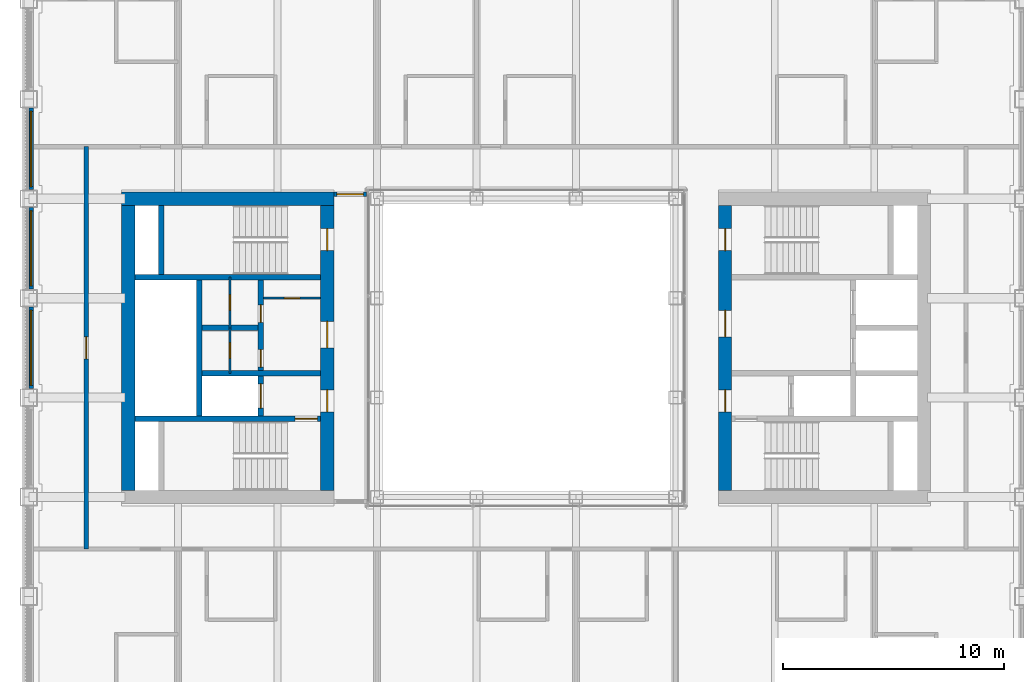
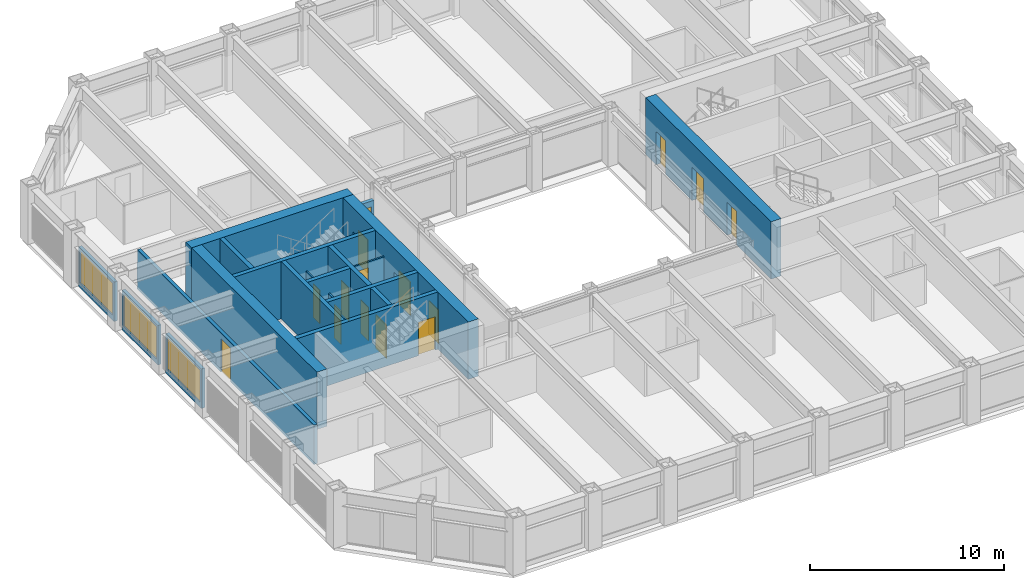
# One storey, part 11 of 17: 19 walls, 15 doors, 3 windows, 18 openings.
"""IFC4 building model written with IfcOpenShell, lengths in metres."""

from ifc_helpers import new_model, si_unit, direction, frame, frame_2d, origin, place, context, subcontext, project, spatial, rectangle, extrude, material, layer, layer_set, type_object, element, fill, save


model = new_model("IFC4")

# Units and contexts
model_context = context("Model", 3, precision=1e-05, world=origin(), true_north=direction((0.0, 1.0)))
body_context = subcontext(model_context, "Body", "Model", "MODEL_VIEW")
ifc_project = project(units=[si_unit("LENGTHUNIT", "METRE"), si_unit("AREAUNIT", "SQUARE_METRE"), si_unit("VOLUMEUNIT", "CUBIC_METRE"), si_unit("PLANEANGLEUNIT", "RADIAN"), si_unit("MASSUNIT", "GRAM", prefix="KILO")], contexts=[model_context])

# Site, building, storey
site_placement = place(None, origin())
site = spatial("IfcSite", under=ifc_project, at=site_placement, CompositionType="ELEMENT")
building_placement = place(site_placement, origin())
building = spatial("IfcBuilding", under=site, at=building_placement, Name="Msasa Ring Tower", CompositionType="ELEMENT")
storey_placement = place(building_placement, frame((0.0, 0.0, 165.199951171875)))
storey = spatial("IfcBuildingStorey", under=building, at=storey_placement, Name="L43", CompositionType="ELEMENT", Elevation=165.199951171875)

# Wall, openings, doors
ifc_material_1 = material(Name="Concrete C60/75", Category="concrete")
ifc_layer_1 = layer(ifc_material_1, 0.60009765625)
ifc_layer_set_1 = layer_set([ifc_layer_1], Name="CW2 CORE WALL 600")
wall_type_1 = type_object("IfcWallType", Name="CW2 CORE WALL 600", PredefinedType="SHEAR", material=ifc_layer_set_1)
wall_1_placement = place(storey_placement, frame((9.0, -6.449951171875, 0.0), z_axis=(0.0, 0.0, 1.0), x_axis=(0.0, 1.0, 0.0)))
wall_1 = element("IfcWall", 1, at=wall_1_placement, inside=storey, type_object=wall_type_1, Name="E core wall W L43", PredefinedType="SHEAR", context=body_context, shape_type="SweptSolid", body=[
    extrude(rectangle(XDim=12.89990234375, YDim=0.60009765625, at=frame_2d((6.449951171875, 0.0))), origin(), (0.0, 0.0, 1.0), 3.60009765625),
])
opening_1_placement = place(wall_1_placement, frame((3.550048828125, 0.0, 0.0)))
opening_1 = element("IfcOpeningElement", 2, at=opening_1_placement, cuts=wall_1, Name="Opening HE-028", PredefinedType="OPENING", context=body_context, shape_type="SweptSolid", body=[
    extrude(rectangle(XDim=1.0, YDim=2.10009765625, at=frame_2d((0.5, 1.050048828125))), frame((0.0, 0.31005859375, 0.0), z_axis=(0.0, -1.0, 0.0), x_axis=(1.0, 0.0, 0.0)), (0.0, 0.0, 1.0), 0.6201171875),
])
opening_2_placement = place(wall_1_placement, frame((6.949951171875, 0.0, 0.0)))
opening_2 = element("IfcOpeningElement", 3, at=opening_2_placement, cuts=wall_1, Name="Opening HE-021", PredefinedType="OPENING", context=body_context, shape_type="SweptSolid", body=[
    extrude(rectangle(XDim=1.199951171875, YDim=2.10009765625, at=frame_2d((0.60009765625, 1.050048828125))), frame((0.0, 0.31005859375, 0.0), z_axis=(0.0, -1.0, 0.0), x_axis=(1.0, 0.0, 0.0)), (0.0, 0.0, 1.0), 0.6201171875),
])
opening_3_placement = place(wall_1_placement, frame((10.85009765625, 0.0, 0.0)))
opening_3 = element("IfcOpeningElement", 4, at=opening_3_placement, cuts=wall_1, Name="Opening HE-017", PredefinedType="OPENING", context=body_context, shape_type="SweptSolid", body=[
    extrude(rectangle(XDim=1.0, YDim=2.10009765625, at=frame_2d((0.5, 1.050048828125))), frame((0.0, 0.31005859375, 0.0), z_axis=(0.0, -1.0, 0.0), x_axis=(1.0, 0.0, 0.0)), (0.0, 0.0, 1.0), 0.6201171875),
])
ifc_material_2 = material(Name="Timber door leaf in a steel frame", Category="steel")
door_type_1 = type_object("IfcDoorType", Name="D4 LOBBY DOOR 1000x2100", OperationType="SINGLE_SWING_LEFT", PredefinedType="DOOR", material=ifc_material_2)
door_1_placement = place(opening_1_placement, origin())
door_1 = element("IfcDoor", 5, at=door_1_placement, inside=storey, type_object=door_type_1, Name="Door L43-EFFL", OperationType="SINGLE_SWING_LEFT", OverallHeight=2.10009765625, OverallWidth=1.0, PredefinedType="DOOR", context=body_context, shape_type="SweptSolid", body=[
    extrude(rectangle(XDim=1.0, YDim=2.10009765625, at=frame_2d((0.5, 1.050048828125))), frame((0.0, 0.02490234375, 0.0), z_axis=(0.0, -1.0, 0.0), x_axis=(1.0, 0.0, 0.0)), (0.0, 0.0, 1.0), 0.050048828125),
])
fill(opening_1, door_1)
ifc_material_3 = material(Name="Timber door leaf in a steel frame", Category="steel")
door_type_2 = type_object("IfcDoorType", Name="D5 WIDE LOBBY DOOR 1200x2100", OperationType="SINGLE_SWING_LEFT", PredefinedType="DOOR", material=ifc_material_3)
door_2_placement = place(opening_2_placement, origin())
door_2 = element("IfcDoor", 6, at=door_2_placement, inside=storey, type_object=door_type_2, Name="Door L43-ELL", OperationType="SINGLE_SWING_RIGHT", OverallHeight=2.10009765625, OverallWidth=1.199951171875, PredefinedType="DOOR", context=body_context, shape_type="SweptSolid", body=[
    extrude(rectangle(XDim=1.199951171875, YDim=2.10009765625, at=frame_2d((0.60009765625, 1.050048828125))), frame((0.0, 0.02490234375, 0.0), z_axis=(0.0, -1.0, 0.0), x_axis=(1.0, 0.0, 0.0)), (0.0, 0.0, 1.0), 0.050048828125),
])
fill(opening_2, door_2)
ifc_material_4 = material(Name="Timber door leaf in a steel frame", Category="steel")
door_type_3 = type_object("IfcDoorType", Name="D6 STAIR DOOR 1000x2100", OperationType="SINGLE_SWING_LEFT", PredefinedType="DOOR", material=ifc_material_4)
door_3_placement = place(opening_3_placement, origin())
door_3 = element("IfcDoor", 7, at=door_3_placement, inside=storey, type_object=door_type_3, Name="Door L43-ESTB", OperationType="SINGLE_SWING_RIGHT", OverallHeight=2.10009765625, OverallWidth=1.0, PredefinedType="DOOR", context=body_context, shape_type="SweptSolid", body=[
    extrude(rectangle(XDim=1.0, YDim=2.10009765625, at=frame_2d((0.5, 1.050048828125))), frame((0.0, 0.02490234375, 0.0), z_axis=(0.0, -1.0, 0.0), x_axis=(1.0, 0.0, 0.0)), (0.0, 0.0, 1.0), 0.050048828125),
])
fill(opening_3, door_3)

# Wall
wall_2_placement = place(storey_placement, frame((-8.699951171875, 6.75, 0.0), z_axis=(0.0, 0.0, 1.0), x_axis=(-1.0, 0.0, 0.0)))
element("IfcWall", 8, at=wall_2_placement, inside=storey, type_object=wall_type_1, Name="W core wall N L43", PredefinedType="SHEAR", context=body_context, shape_type="SweptSolid", body=[
    extrude(rectangle(XDim=9.60009765625, YDim=0.60009765625, at=frame_2d((4.800048828125, 0.0))), origin(), (0.0, 0.0, 1.0), 3.60009765625),
])

# Wall, openings, doors
wall_3_placement = place(storey_placement, frame((-9.0, -6.449951171875, 0.0), z_axis=(0.0, 0.0, 1.0), x_axis=(0.0, 1.0, 0.0)))
wall_3 = element("IfcWall", 9, at=wall_3_placement, inside=storey, type_object=wall_type_1, Name="W core wall W L43", PredefinedType="SHEAR", context=body_context, shape_type="SweptSolid", body=[
    extrude(rectangle(XDim=12.89990234375, YDim=0.60009765625, at=frame_2d((6.449951171875, 0.0))), origin(), (0.0, 0.0, 1.0), 3.60009765625),
])
opening_4_placement = place(wall_3_placement, frame((3.550048828125, 0.0, 0.0)))
opening_4 = element("IfcOpeningElement", 10, at=opening_4_placement, cuts=wall_3, Name="Opening HE-027", PredefinedType="OPENING", context=body_context, shape_type="SweptSolid", body=[
    extrude(rectangle(XDim=1.0, YDim=2.10009765625, at=frame_2d((0.5, 1.050048828125))), frame((0.0, 0.31005859375, 0.0), z_axis=(0.0, -1.0, 0.0), x_axis=(1.0, 0.0, 0.0)), (0.0, 0.0, 1.0), 0.6201171875),
])
opening_5_placement = place(wall_3_placement, frame((6.449951171875, 0.0, 0.0)))
opening_5 = element("IfcOpeningElement", 11, at=opening_5_placement, cuts=wall_3, Name="Opening HE-022", PredefinedType="OPENING", context=body_context, shape_type="SweptSolid", body=[
    extrude(rectangle(XDim=1.199951171875, YDim=2.10009765625, at=frame_2d((0.60009765625, 1.050048828125))), frame((0.0, 0.31005859375, 0.0), z_axis=(0.0, -1.0, 0.0), x_axis=(1.0, 0.0, 0.0)), (0.0, 0.0, 1.0), 0.6201171875),
])
opening_6_placement = place(wall_3_placement, frame((10.85009765625, 0.0, 0.0)))
opening_6 = element("IfcOpeningElement", 12, at=opening_6_placement, cuts=wall_3, Name="Opening HE-016", PredefinedType="OPENING", context=body_context, shape_type="SweptSolid", body=[
    extrude(rectangle(XDim=1.0, YDim=2.10009765625, at=frame_2d((0.5, 1.050048828125))), frame((0.0, 0.31005859375, 0.0), z_axis=(0.0, -1.0, 0.0), x_axis=(1.0, 0.0, 0.0)), (0.0, 0.0, 1.0), 0.6201171875),
])
door_4_placement = place(opening_4_placement, origin())
door_4 = element("IfcDoor", 13, at=door_4_placement, inside=storey, type_object=door_type_1, Name="Door L43-WFFL", OperationType="SINGLE_SWING_LEFT", OverallHeight=2.10009765625, OverallWidth=1.0, PredefinedType="DOOR", context=body_context, shape_type="SweptSolid", body=[
    extrude(rectangle(XDim=1.0, YDim=2.10009765625, at=frame_2d((0.5, 1.050048828125))), frame((0.0, 0.02490234375, 0.0), z_axis=(0.0, -1.0, 0.0), x_axis=(1.0, 0.0, 0.0)), (0.0, 0.0, 1.0), 0.050048828125),
])
fill(opening_4, door_4)
door_5_placement = place(opening_5_placement, origin())
door_5 = element("IfcDoor", 14, at=door_5_placement, inside=storey, type_object=door_type_2, Name="Door L43-WLL", OperationType="SINGLE_SWING_RIGHT", OverallHeight=2.10009765625, OverallWidth=1.199951171875, PredefinedType="DOOR", context=body_context, shape_type="SweptSolid", body=[
    extrude(rectangle(XDim=1.199951171875, YDim=2.10009765625, at=frame_2d((0.60009765625, 1.050048828125))), frame((0.0, 0.02490234375, 0.0), z_axis=(0.0, -1.0, 0.0), x_axis=(1.0, 0.0, 0.0)), (0.0, 0.0, 1.0), 0.050048828125),
])
fill(opening_5, door_5)
door_6_placement = place(opening_6_placement, origin())
door_6 = element("IfcDoor", 15, at=door_6_placement, inside=storey, type_object=door_type_3, Name="Door L43-WSTB", OperationType="SINGLE_SWING_RIGHT", OverallHeight=2.10009765625, OverallWidth=1.0, PredefinedType="DOOR", context=body_context, shape_type="SweptSolid", body=[
    extrude(rectangle(XDim=1.0, YDim=2.10009765625, at=frame_2d((0.5, 1.050048828125))), frame((0.0, 0.02490234375, 0.0), z_axis=(0.0, -1.0, 0.0), x_axis=(1.0, 0.0, 0.0)), (0.0, 0.0, 1.0), 0.050048828125),
])
fill(opening_6, door_6)

# Wall
wall_4_placement = place(storey_placement, frame((-18.0, -6.449951171875, 0.0), z_axis=(0.0, 0.0, 1.0), x_axis=(0.0, 1.0, 0.0)))
element("IfcWall", 16, at=wall_4_placement, inside=storey, type_object=wall_type_1, Name="W core wall E L43", PredefinedType="SHEAR", context=body_context, shape_type="SweptSolid", body=[
    extrude(rectangle(XDim=12.89990234375, YDim=0.60009765625, at=frame_2d((6.449951171875, 0.0))), origin(), (0.0, 0.0, 1.0), 3.60009765625),
])

# Wall, opening, door
ifc_material_5 = material(Name="Concrete C60/75", Category="concrete")
ifc_layer_2 = layer(ifc_material_5, 0.25)
ifc_layer_set_2 = layer_set([ifc_layer_2], Name="CW4 CORE INNER WALL 250")
wall_type_2 = type_object("IfcWallType", Name="CW4 CORE INNER WALL 250", PredefinedType="SHEAR", material=ifc_layer_set_2)
wall_5_placement = place(storey_placement, frame((-9.300048828125, -3.199951171875, 0.0), z_axis=(0.0, 0.0, 1.0), x_axis=(-1.0, 0.0, 0.0)))
wall_5 = element("IfcWall", 17, at=wall_5_placement, inside=storey, type_object=wall_type_2, Name="W core wall STAIRA L43", PredefinedType="SHEAR", context=body_context, shape_type="SweptSolid", body=[
    extrude(rectangle(XDim=8.39990234375, YDim=0.25, at=frame_2d((4.199951171875, 0.0))), origin(), (0.0, 0.0, 1.0), 3.60009765625),
])
opening_7_placement = place(wall_5_placement, frame((0.14990234375, 0.0, 0.0)))
opening_7 = element("IfcOpeningElement", 18, at=opening_7_placement, cuts=wall_5, Name="Opening HE-029", PredefinedType="OPENING", context=body_context, shape_type="SweptSolid", body=[
    extrude(rectangle(XDim=1.0, YDim=2.10009765625, at=frame_2d((0.5, 1.050048828125))), frame((0.0, 0.135009765625, 0.0), z_axis=(0.0, -1.0, 0.0), x_axis=(1.0, 0.0, 0.0)), (0.0, 0.0, 1.0), 0.27001953125),
])
door_7_placement = place(opening_7_placement, origin())
door_7 = element("IfcDoor", 19, at=door_7_placement, inside=storey, type_object=door_type_3, Name="Door L43-WSTA", OperationType="SINGLE_SWING_LEFT", OverallHeight=2.10009765625, OverallWidth=1.0, PredefinedType="DOOR", context=body_context, shape_type="SweptSolid", body=[
    extrude(rectangle(XDim=1.0, YDim=2.10009765625, at=frame_2d((0.5, 1.050048828125))), frame((0.0, 0.02490234375, 0.0), z_axis=(0.0, -1.0, 0.0), x_axis=(1.0, 0.0, 0.0)), (0.0, 0.0, 1.0), 0.050048828125),
])
fill(opening_7, door_7)

# Walls
wall_6_placement = place(storey_placement, frame((-9.300048828125, 3.199951171875, 0.0), z_axis=(0.0, 0.0, 1.0), x_axis=(-1.0, 0.0, 0.0)))
element("IfcWall", 20, at=wall_6_placement, inside=storey, type_object=wall_type_2, Name="W core wall STAIRB L43", PredefinedType="SHEAR", context=body_context, shape_type="SweptSolid", body=[
    extrude(rectangle(XDim=8.39990234375, YDim=0.25, at=frame_2d((4.199951171875, 0.0))), origin(), (0.0, 0.0, 1.0), 3.60009765625),
])
wall_7_placement = place(storey_placement, frame((-16.5, 3.324951171875, 0.0), z_axis=(0.0, 0.0, 1.0), x_axis=(0.0, 1.0, 0.0)))
element("IfcWall", 21, at=wall_7_placement, inside=storey, type_object=wall_type_2, Name="W core wall RISERB L43", PredefinedType="SHEAR", context=body_context, shape_type="SweptSolid", body=[
    extrude(rectangle(XDim=3.125, YDim=0.25, at=frame_2d((1.5625, 0.0))), origin(), (0.0, 0.0, 1.0), 3.60009765625),
])
wall_8_placement = place(storey_placement, frame((-9.300048828125, -1.14990234375, 0.0), z_axis=(0.0, 0.0, 1.0), x_axis=(-1.0, 0.0, 0.0)))
element("IfcWall", 22, at=wall_8_placement, inside=storey, type_object=wall_type_2, Name="W core wall FFL L43", PredefinedType="SHEAR", context=body_context, shape_type="SweptSolid", body=[
    extrude(rectangle(XDim=5.375, YDim=0.25, at=frame_2d((2.6875, 0.0))), origin(), (0.0, 0.0, 1.0), 3.60009765625),
])

# Wall, openings, doors
wall_9_placement = place(storey_placement, frame((-12.0, -3.074951171875, 0.0), z_axis=(0.0, 0.0, 1.0), x_axis=(0.0, 1.0, 0.0)))
wall_9 = element("IfcWall", 23, at=wall_9_placement, inside=storey, type_object=wall_type_2, Name="W core wall LOBBY L43", PredefinedType="SHEAR", context=body_context, shape_type="SweptSolid", body=[
    extrude(rectangle(XDim=6.14990234375, YDim=0.25, at=frame_2d((3.074951171875, 0.0))), origin(), (0.0, 0.0, 1.0), 3.60009765625),
])
opening_8_placement = place(wall_9_placement, frame((2.199951171875, 0.0, 0.0)))
opening_8 = element("IfcOpeningElement", 24, at=opening_8_placement, cuts=wall_9, Name="Opening HE-026", PredefinedType="OPENING", context=body_context, shape_type="SweptSolid", body=[
    extrude(rectangle(XDim=0.800048828125, YDim=2.10009765625, at=frame_2d((0.39990234375, 1.050048828125))), frame((0.0, 0.135009765625, 0.0), z_axis=(0.0, -1.0, 0.0), x_axis=(1.0, 0.0, 0.0)), (0.0, 0.0, 1.0), 0.27001953125),
])
opening_9_placement = place(wall_9_placement, frame((4.22509765625, 0.0, 0.0)))
opening_9 = element("IfcOpeningElement", 25, at=opening_9_placement, cuts=wall_9, Name="Opening HE-020", PredefinedType="OPENING", context=body_context, shape_type="SweptSolid", body=[
    extrude(rectangle(XDim=0.800048828125, YDim=2.10009765625, at=frame_2d((0.39990234375, 1.050048828125))), frame((0.0, 0.135009765625, 0.0), z_axis=(0.0, -1.0, 0.0), x_axis=(1.0, 0.0, 0.0)), (0.0, 0.0, 1.0), 0.27001953125),
])
opening_10_placement = place(wall_9_placement, frame((0.35009765625, 0.0, 0.0)))
opening_10 = element("IfcOpeningElement", 26, at=opening_10_placement, cuts=wall_9, Name="Opening LD1", PredefinedType="OPENING", context=body_context, shape_type="SweptSolid", body=[
    extrude(rectangle(XDim=1.10009765625, YDim=2.10009765625, at=frame_2d((0.550048828125, 1.050048828125))), frame((0.0, 0.135009765625, 0.0), z_axis=(0.0, -1.0, 0.0), x_axis=(1.0, 0.0, 0.0)), (0.0, 0.0, 1.0), 0.27001953125),
])
ifc_material_6 = material(Name="Timber door leaf in a steel frame", Category="steel")
door_type_4 = type_object("IfcDoorType", Name="D9 NARROW SERVICE DOOR 800x2100", OperationType="SINGLE_SWING_LEFT", PredefinedType="DOOR", material=ifc_material_6)
door_8_placement = place(opening_8_placement, origin())
door_8 = element("IfcDoor", 27, at=door_8_placement, inside=storey, type_object=door_type_4, Name="Door L43-WR1", OperationType="SINGLE_SWING_LEFT", OverallHeight=2.10009765625, OverallWidth=0.800048828125, PredefinedType="DOOR", context=body_context, shape_type="SweptSolid", body=[
    extrude(rectangle(XDim=0.800048828125, YDim=2.10009765625, at=frame_2d((0.39990234375, 1.050048828125))), frame((0.0, 0.02490234375, 0.0), z_axis=(0.0, -1.0, 0.0), x_axis=(1.0, 0.0, 0.0)), (0.0, 0.0, 1.0), 0.050048828125),
])
fill(opening_8, door_8)
door_9_placement = place(opening_9_placement, origin())
door_9 = element("IfcDoor", 28, at=door_9_placement, inside=storey, type_object=door_type_4, Name="Door L43-WR2", OperationType="SINGLE_SWING_RIGHT", OverallHeight=2.10009765625, OverallWidth=0.800048828125, PredefinedType="DOOR", context=body_context, shape_type="SweptSolid", body=[
    extrude(rectangle(XDim=0.800048828125, YDim=2.10009765625, at=frame_2d((0.39990234375, 1.050048828125))), frame((0.0, 0.02490234375, 0.0), z_axis=(0.0, -1.0, 0.0), x_axis=(1.0, 0.0, 0.0)), (0.0, 0.0, 1.0), 0.050048828125),
])
fill(opening_9, door_9)
ifc_material_7 = material(Name="Stainless steel lift landing door", Category="steel")
door_type_5 = type_object("IfcDoorType", Name="LD1 LIFT LANDING DOOR 1100x2100", OperationType="DOUBLE_DOOR_SLIDING", PredefinedType="DOOR", material=ifc_material_7)
door_10_placement = place(opening_10_placement, origin())
door_10 = element("IfcDoor", 29, at=door_10_placement, inside=storey, type_object=door_type_5, Name="Lift landing door FL-W L43", OperationType="DOUBLE_DOOR_SLIDING", OverallHeight=2.10009765625, OverallWidth=1.10009765625, PredefinedType="DOOR", context=body_context, shape_type="SweptSolid", body=[
    extrude(rectangle(XDim=1.10009765625, YDim=2.10009765625, at=frame_2d((0.550048828125, 1.050048828125))), frame((0.0, 0.02490234375, 0.0), z_axis=(0.0, -1.0, 0.0), x_axis=(1.0, 0.0, 0.0)), (0.0, 0.0, 1.0), 0.050048828125),
])
fill(opening_10, door_10)

# Walls
wall_10_placement = place(storey_placement, frame((-14.800048828125, -3.074951171875, 0.0), z_axis=(0.0, 0.0, 1.0), x_axis=(0.0, 1.0, 0.0)))
element("IfcWall", 30, at=wall_10_placement, inside=storey, type_object=wall_type_2, Name="W core wall SHAFT L43", PredefinedType="SHEAR", context=body_context, shape_type="SweptSolid", body=[
    extrude(rectangle(XDim=6.14990234375, YDim=0.25, at=frame_2d((3.074951171875, 0.0))), origin(), (0.0, 0.0, 1.0), 3.60009765625),
])
wall_11_placement = place(storey_placement, frame((-12.125, 0.89990234375, 0.0), z_axis=(0.0, 0.0, 1.0), x_axis=(-1.0, 0.0, 0.0)))
element("IfcWall", 31, at=wall_11_placement, inside=storey, type_object=wall_type_2, Name="W core wall LIFT1 L43", PredefinedType="SHEAR", context=body_context, shape_type="SweptSolid", body=[
    extrude(rectangle(XDim=2.550048828125, YDim=0.25, at=frame_2d((1.27490234375, 0.0))), origin(), (0.0, 0.0, 1.0), 3.60009765625),
])

# Wall, opening, window
ifc_material_8 = material(Name="Terracotta rainscreen on blockwork", Category="masonry")
ifc_layer_3 = layer(ifc_material_8, 0.199951171875)
ifc_layer_set_3 = layer_set([ifc_layer_3], Name="FW1 TERRACOTTA-LINED INFILL BAY WALL 200")
wall_type_3 = type_object("IfcWallType", Name="FW1 TERRACOTTA-LINED INFILL BAY WALL 200", PredefinedType="SOLIDWALL", material=ifc_layer_set_3)
wall_12_placement = place(storey_placement, frame((-22.39990234375, -1.844970703125, 0.0), z_axis=(0.0, 0.0, 1.0), x_axis=(0.0, 1.0, 0.0)))
wall_12 = element("IfcWall", 32, at=wall_12_placement, inside=storey, type_object=wall_type_3, Name="Infill bay wall W L43 30", PredefinedType="SOLIDWALL", context=body_context, shape_type="SweptSolid", body=[
    extrude(rectangle(XDim=3.68994140625, YDim=0.199951171875, at=frame_2d((1.844970703125, 0.0))), origin(), (0.0, 0.0, 1.0), 2.47900390625),
])
opening_11_placement = place(wall_12_placement, frame((0.14501953125, 0.0, 0.300048828125)))
opening_11 = element("IfcOpeningElement", 33, at=opening_11_placement, cuts=wall_12, Name="Opening WN2", PredefinedType="OPENING", context=body_context, shape_type="SweptSolid", body=[
    extrude(rectangle(XDim=3.39990234375, YDim=2.029052734375, at=frame_2d((1.699951171875, 1.0146484375))), frame((0.0, 0.10986328125, 0.0), z_axis=(0.0, -1.0, 0.0), x_axis=(1.0, 0.0, 0.0)), (0.0, 0.0, 1.0), 0.219970703125),
])
ifc_material_9 = material(Name="Aluminium frame with clear glass", Category="aluminium")
window_type = type_object("IfcWindowType", Name="WN2 GUEST ROOM WINDOW 3400x2029", PartitioningType="SINGLE_PANEL", PredefinedType="WINDOW", material=ifc_material_9)
window_1_placement = place(opening_11_placement, origin())
window_1 = element("IfcWindow", 34, at=window_1_placement, inside=storey, type_object=window_type, Name="Window W L43 30", OverallHeight=2.029052734375, OverallWidth=3.39990234375, PartitioningType="SINGLE_PANEL", PredefinedType="WINDOW", context=body_context, shape_type="SweptSolid", body=[
    extrude(rectangle(XDim=3.39990234375, YDim=2.029052734375, at=frame_2d((1.699951171875, 1.0146484375))), frame((0.0, 0.030029296875, 0.0), z_axis=(0.0, -1.0, 0.0), x_axis=(1.0, 0.0, 0.0)), (0.0, 0.0, 1.0), 0.06005859375),
])
fill(opening_11, window_1)

wall_13_placement = place(storey_placement, frame((-22.39990234375, 2.655029296875, 0.0), z_axis=(0.0, 0.0, 1.0), x_axis=(0.0, 1.0, 0.0)))
wall_13 = element("IfcWall", 35, at=wall_13_placement, inside=storey, type_object=wall_type_3, Name="Infill bay wall W L43 31", PredefinedType="SOLIDWALL", context=body_context, shape_type="SweptSolid", body=[
    extrude(rectangle(XDim=3.68994140625, YDim=0.199951171875, at=frame_2d((1.844970703125, 0.0))), origin(), (0.0, 0.0, 1.0), 2.47900390625),
])
opening_12_placement = place(wall_13_placement, frame((0.14501953125, 0.0, 0.300048828125)))
opening_12 = element("IfcOpeningElement", 36, at=opening_12_placement, cuts=wall_13, Name="Opening WN2", PredefinedType="OPENING", context=body_context, shape_type="SweptSolid", body=[
    extrude(rectangle(XDim=3.39990234375, YDim=2.029052734375, at=frame_2d((1.699951171875, 1.0146484375))), frame((0.0, 0.10986328125, 0.0), z_axis=(0.0, -1.0, 0.0), x_axis=(1.0, 0.0, 0.0)), (0.0, 0.0, 1.0), 0.219970703125),
])
window_2_placement = place(opening_12_placement, origin())
window_2 = element("IfcWindow", 37, at=window_2_placement, inside=storey, type_object=window_type, Name="Window W L43 31", OverallHeight=2.029052734375, OverallWidth=3.39990234375, PartitioningType="SINGLE_PANEL", PredefinedType="WINDOW", context=body_context, shape_type="SweptSolid", body=[
    extrude(rectangle(XDim=3.39990234375, YDim=2.029052734375, at=frame_2d((1.699951171875, 1.0146484375))), frame((0.0, 0.030029296875, 0.0), z_axis=(0.0, -1.0, 0.0), x_axis=(1.0, 0.0, 0.0)), (0.0, 0.0, 1.0), 0.06005859375),
])
fill(opening_12, window_2)

wall_14_placement = place(storey_placement, frame((-22.39990234375, 7.155029296875, 0.0), z_axis=(0.0, 0.0, 1.0), x_axis=(0.0, 1.0, 0.0)))
wall_14 = element("IfcWall", 38, at=wall_14_placement, inside=storey, type_object=wall_type_3, Name="Infill bay wall W L43 32", PredefinedType="SOLIDWALL", context=body_context, shape_type="SweptSolid", body=[
    extrude(rectangle(XDim=3.68994140625, YDim=0.199951171875, at=frame_2d((1.844970703125, 0.0))), origin(), (0.0, 0.0, 1.0), 2.47900390625),
])
opening_13_placement = place(wall_14_placement, frame((0.14501953125, 0.0, 0.300048828125)))
opening_13 = element("IfcOpeningElement", 39, at=opening_13_placement, cuts=wall_14, Name="Opening WN2", PredefinedType="OPENING", context=body_context, shape_type="SweptSolid", body=[
    extrude(rectangle(XDim=3.39990234375, YDim=2.029052734375, at=frame_2d((1.699951171875, 1.0146484375))), frame((0.0, 0.10986328125, 0.0), z_axis=(0.0, -1.0, 0.0), x_axis=(1.0, 0.0, 0.0)), (0.0, 0.0, 1.0), 0.219970703125),
])
window_3_placement = place(opening_13_placement, origin())
window_3 = element("IfcWindow", 40, at=window_3_placement, inside=storey, type_object=window_type, Name="Window W L43 32", OverallHeight=2.029052734375, OverallWidth=3.39990234375, PartitioningType="SINGLE_PANEL", PredefinedType="WINDOW", context=body_context, shape_type="SweptSolid", body=[
    extrude(rectangle(XDim=3.39990234375, YDim=2.029052734375, at=frame_2d((1.699951171875, 1.0146484375))), frame((0.0, 0.030029296875, 0.0), z_axis=(0.0, -1.0, 0.0), x_axis=(1.0, 0.0, 0.0)), (0.0, 0.0, 1.0), 0.06005859375),
])
fill(opening_13, window_3)

# Wall, opening, door
ifc_material_10 = material(Name="Concrete blockwork", Category="masonry")
ifc_layer_4 = layer(ifc_material_10, 0.199951171875)
ifc_layer_set_4 = layer_set([ifc_layer_4], Name="PT1 CORRIDOR WALL 200")
wall_type_4 = type_object("IfcWallType", Name="PT1 CORRIDOR WALL 200", PredefinedType="PARTITIONING", material=ifc_layer_set_4)
wall_15_placement = place(storey_placement, frame((-8.699951171875, 6.949951171875, 0.0), z_axis=(0.0, 0.0, 1.0), x_axis=(1.0, 0.0, 0.0)))
wall_15 = element("IfcWall", 41, at=wall_15_placement, inside=storey, type_object=wall_type_4, Name="Corridor wall L43-SDWN", PredefinedType="PARTITIONING", context=body_context, shape_type="SweptSolid", body=[
    extrude(rectangle(XDim=1.469970703125, YDim=0.199951171875, at=frame_2d((0.73486328125, 0.0))), origin(), (0.0, 0.0, 1.0), 2.473388671875),
])
opening_14_placement = place(wall_15_placement, frame((0.135009765625, 0.0, 0.0)))
opening_14 = element("IfcOpeningElement", 42, at=opening_14_placement, cuts=wall_15, Name="Opening HE-015", PredefinedType="OPENING", context=body_context, shape_type="SweptSolid", body=[
    extrude(rectangle(XDim=1.199951171875, YDim=2.10009765625, at=frame_2d((0.60009765625, 1.050048828125))), frame((0.0, 0.10986328125, 0.0), z_axis=(0.0, -1.0, 0.0), x_axis=(1.0, 0.0, 0.0)), (0.0, 0.0, 1.0), 0.219970703125),
])
ifc_material_11 = material(Name="Timber door leaf in a steel frame", Category="steel")
door_type_6 = type_object("IfcDoorType", Name="D25 CORRIDOR PAIR OF SMOKE DOORS 1200x2100", OperationType="DOUBLE_DOOR_DOUBLE_SWING", PredefinedType="DOOR", material=ifc_material_11)
door_11_placement = place(opening_14_placement, origin())
door_11 = element("IfcDoor", 43, at=door_11_placement, inside=storey, type_object=door_type_6, Name="Door L43-SDWN", OperationType="DOUBLE_DOOR_DOUBLE_SWING", OverallHeight=2.10009765625, OverallWidth=1.199951171875, PredefinedType="DOOR", context=body_context, shape_type="SweptSolid", body=[
    extrude(rectangle(XDim=1.199951171875, YDim=2.10009765625, at=frame_2d((0.60009765625, 1.050048828125))), frame((0.0, 0.02490234375, 0.0), z_axis=(0.0, -1.0, 0.0), x_axis=(1.0, 0.0, 0.0)), (0.0, 0.0, 1.0), 0.050048828125),
])
fill(opening_14, door_11)

wall_16_placement = place(storey_placement, frame((-19.89990234375, -9.10009765625, 0.0), z_axis=(0.0, 0.0, 1.0), x_axis=(0.0, 1.0, 0.0)))
wall_16 = element("IfcWall", 44, at=wall_16_placement, inside=storey, type_object=wall_type_4, Name="Corridor wall L43-STRW", PredefinedType="PARTITIONING", context=body_context, shape_type="SweptSolid", body=[
    extrude(rectangle(XDim=18.2001953125, YDim=0.199951171875, at=frame_2d((9.10009765625, 0.0))), origin(), (0.0, 0.0, 1.0), 2.473388671875),
])
opening_15_placement = place(wall_16_placement, frame((8.60009765625, 0.0, 0.0)))
opening_15 = element("IfcOpeningElement", 45, at=opening_15_placement, cuts=wall_16, Name="Opening HE-023", PredefinedType="OPENING", context=body_context, shape_type="SweptSolid", body=[
    extrude(rectangle(XDim=1.0, YDim=2.10009765625, at=frame_2d((0.5, 1.050048828125))), frame((0.0, 0.10986328125, 0.0), z_axis=(0.0, -1.0, 0.0), x_axis=(1.0, 0.0, 0.0)), (0.0, 0.0, 1.0), 0.219970703125),
])
ifc_material_12 = material(Name="Timber door leaf in a steel frame", Category="steel")
door_type_7 = type_object("IfcDoorType", Name="D10 STORE DOOR 1000x2100", OperationType="SINGLE_SWING_LEFT", PredefinedType="DOOR", material=ifc_material_12)
door_12_placement = place(opening_15_placement, origin())
door_12 = element("IfcDoor", 46, at=door_12_placement, inside=storey, type_object=door_type_7, Name="Door L43-LGW", OperationType="SINGLE_SWING_LEFT", OverallHeight=2.10009765625, OverallWidth=1.0, PredefinedType="DOOR", context=body_context, shape_type="SweptSolid", body=[
    extrude(rectangle(XDim=1.0, YDim=2.10009765625, at=frame_2d((0.5, 1.050048828125))), frame((0.0, 0.02490234375, 0.0), z_axis=(0.0, -1.0, 0.0), x_axis=(1.0, 0.0, 0.0)), (0.0, 0.0, 1.0), 0.050048828125),
])
fill(opening_15, door_12)

ifc_material_13 = material(Name="Gypsum board on steel studs", Category="steel")
ifc_layer_5 = layer(ifc_material_13, 0.10009765625)
ifc_layer_set_5 = layer_set([ifc_layer_5], Name="PT2 STUD PARTITION 100")
wall_type_5 = type_object("IfcWallType", Name="PT2 STUD PARTITION 100", PredefinedType="PARTITIONING", material=ifc_layer_set_5)
wall_17_placement = place(storey_placement, frame((-11.875, 2.25, 0.0), z_axis=(0.0, 0.0, 1.0), x_axis=(1.0, 0.0, 0.0)))
wall_17 = element("IfcWall", 47, at=wall_17_placement, inside=storey, type_object=wall_type_5, Name="Partition L43-WCP", PredefinedType="PARTITIONING", context=body_context, shape_type="SweptSolid", body=[
    extrude(rectangle(XDim=2.574951171875, YDim=0.10009765625, at=frame_2d((1.28759765625, 0.0))), origin(), (0.0, 0.0, 1.0), 2.473388671875),
])
opening_16_placement = place(wall_17_placement, frame((0.9375, 0.0, 0.0)))
opening_16 = element("IfcOpeningElement", 48, at=opening_16_placement, cuts=wall_17, Name="Opening HE-018", PredefinedType="OPENING", context=body_context, shape_type="SweptSolid", body=[
    extrude(rectangle(XDim=0.699951171875, YDim=2.10009765625, at=frame_2d((0.35009765625, 1.050048828125))), frame((0.0, 0.06005859375, 0.0), z_axis=(0.0, -1.0, 0.0), x_axis=(1.0, 0.0, 0.0)), (0.0, 0.0, 1.0), 0.1201171875),
])
ifc_material_14 = material(Name="Timber door leaf in a steel frame", Category="steel")
door_type_8 = type_object("IfcDoorType", Name="D32 INTERNAL NARROW STORE DOOR 700x2100", OperationType="SINGLE_SWING_LEFT", PredefinedType="DOOR", material=ifc_material_14)
door_13_placement = place(opening_16_placement, origin())
door_13 = element("IfcDoor", 49, at=door_13_placement, inside=storey, type_object=door_type_8, Name="Door L43-WCP", OperationType="SINGLE_SWING_LEFT", OverallHeight=2.10009765625, OverallWidth=0.699951171875, PredefinedType="DOOR", context=body_context, shape_type="SweptSolid", body=[
    extrude(rectangle(XDim=0.699951171875, YDim=2.10009765625, at=frame_2d((0.35009765625, 1.050048828125))), frame((0.0, 0.02490234375, 0.0), z_axis=(0.0, -1.0, 0.0), x_axis=(1.0, 0.0, 0.0)), (0.0, 0.0, 1.0), 0.050048828125),
])
fill(opening_16, door_13)

wall_18_placement = place(storey_placement, frame((-13.39990234375, -1.14990234375, 0.0), z_axis=(0.0, 0.0, 1.0), x_axis=(0.0, 1.0, 0.0)))
wall_18 = element("IfcWall", 50, at=wall_18_placement, inside=storey, type_object=wall_type_5, Name="Partition L43-WRP1", PredefinedType="PARTITIONING", context=body_context, shape_type="SweptSolid", body=[
    extrude(rectangle(XDim=2.0498046875, YDim=0.10009765625, at=frame_2d((1.02490234375, 0.0))), origin(), (0.0, 0.0, 1.0), 2.473388671875),
])
opening_17_placement = place(wall_18_placement, frame((0.675048828125, 0.0, 0.0)))
opening_17 = element("IfcOpeningElement", 51, at=opening_17_placement, cuts=wall_18, Name="Opening HE-025", PredefinedType="OPENING", context=body_context, shape_type="SweptSolid", body=[
    extrude(rectangle(XDim=0.699951171875, YDim=2.10009765625, at=frame_2d((0.35009765625, 1.050048828125))), frame((0.0, 0.06005859375, 0.0), z_axis=(0.0, -1.0, 0.0), x_axis=(1.0, 0.0, 0.0)), (0.0, 0.0, 1.0), 0.1201171875),
])
door_14_placement = place(opening_17_placement, origin())
door_14 = element("IfcDoor", 52, at=door_14_placement, inside=storey, type_object=door_type_8, Name="Door L43-WRC1", OperationType="SINGLE_SWING_LEFT", OverallHeight=2.10009765625, OverallWidth=0.699951171875, PredefinedType="DOOR", context=body_context, shape_type="SweptSolid", body=[
    extrude(rectangle(XDim=0.699951171875, YDim=2.10009765625, at=frame_2d((0.35009765625, 1.050048828125))), frame((0.0, 0.02490234375, 0.0), z_axis=(0.0, -1.0, 0.0), x_axis=(1.0, 0.0, 0.0)), (0.0, 0.0, 1.0), 0.050048828125),
])
fill(opening_17, door_14)

wall_19_placement = place(storey_placement, frame((-13.39990234375, 0.89990234375, 0.0), z_axis=(0.0, 0.0, 1.0), x_axis=(0.0, 1.0, 0.0)))
wall_19 = element("IfcWall", 53, at=wall_19_placement, inside=storey, type_object=wall_type_5, Name="Partition L43-WRP2", PredefinedType="PARTITIONING", context=body_context, shape_type="SweptSolid", body=[
    extrude(rectangle(XDim=2.300048828125, YDim=0.10009765625, at=frame_2d((1.14990234375, 0.0))), origin(), (0.0, 0.0, 1.0), 2.473388671875),
])
opening_18_placement = place(wall_19_placement, frame((0.800048828125, 0.0, 0.0)))
opening_18 = element("IfcOpeningElement", 54, at=opening_18_placement, cuts=wall_19, Name="Opening HE-019", PredefinedType="OPENING", context=body_context, shape_type="SweptSolid", body=[
    extrude(rectangle(XDim=0.699951171875, YDim=2.10009765625, at=frame_2d((0.35009765625, 1.050048828125))), frame((0.0, 0.06005859375, 0.0), z_axis=(0.0, -1.0, 0.0), x_axis=(1.0, 0.0, 0.0)), (0.0, 0.0, 1.0), 0.1201171875),
])
door_15_placement = place(opening_18_placement, origin())
door_15 = element("IfcDoor", 55, at=door_15_placement, inside=storey, type_object=door_type_8, Name="Door L43-WRC2", OperationType="SINGLE_SWING_LEFT", OverallHeight=2.10009765625, OverallWidth=0.699951171875, PredefinedType="DOOR", context=body_context, shape_type="SweptSolid", body=[
    extrude(rectangle(XDim=0.699951171875, YDim=2.10009765625, at=frame_2d((0.35009765625, 1.050048828125))), frame((0.0, 0.02490234375, 0.0), z_axis=(0.0, -1.0, 0.0), x_axis=(1.0, 0.0, 0.0)), (0.0, 0.0, 1.0), 0.050048828125),
])
fill(opening_18, door_15)

save(model, "model.ifc")
